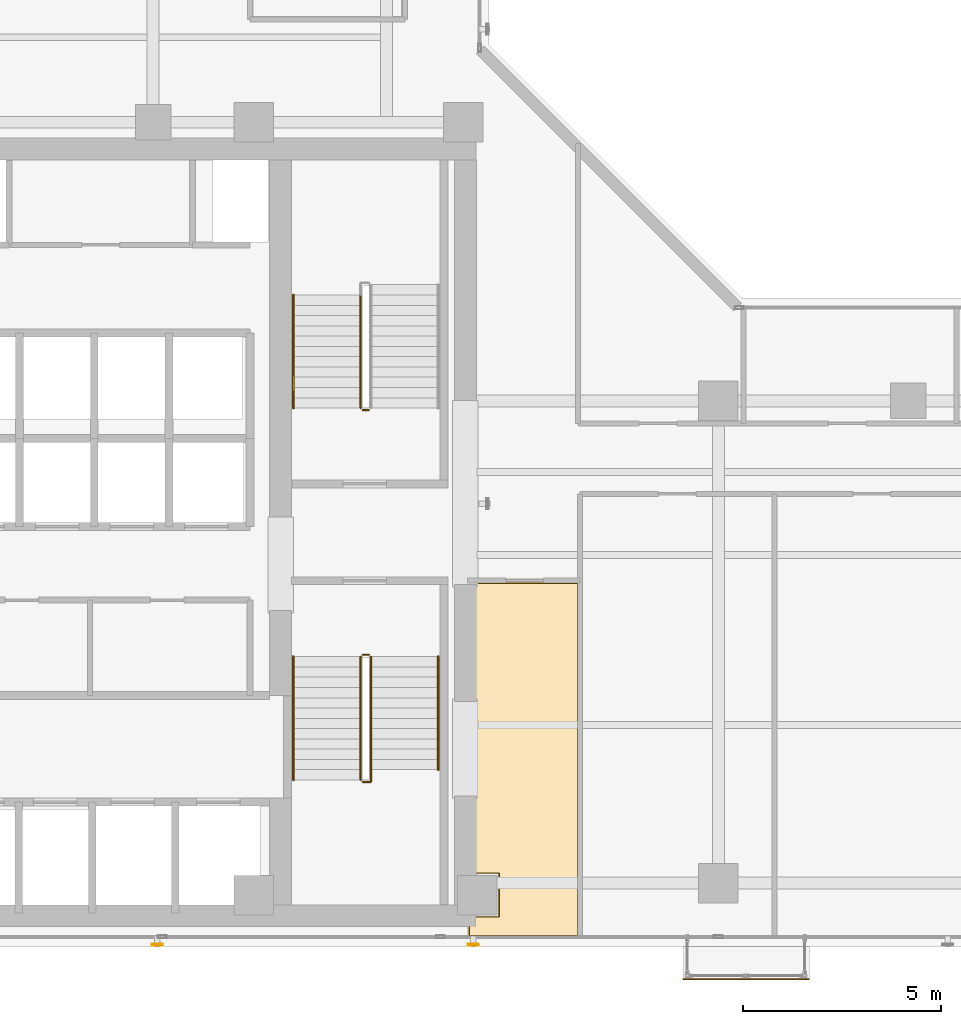
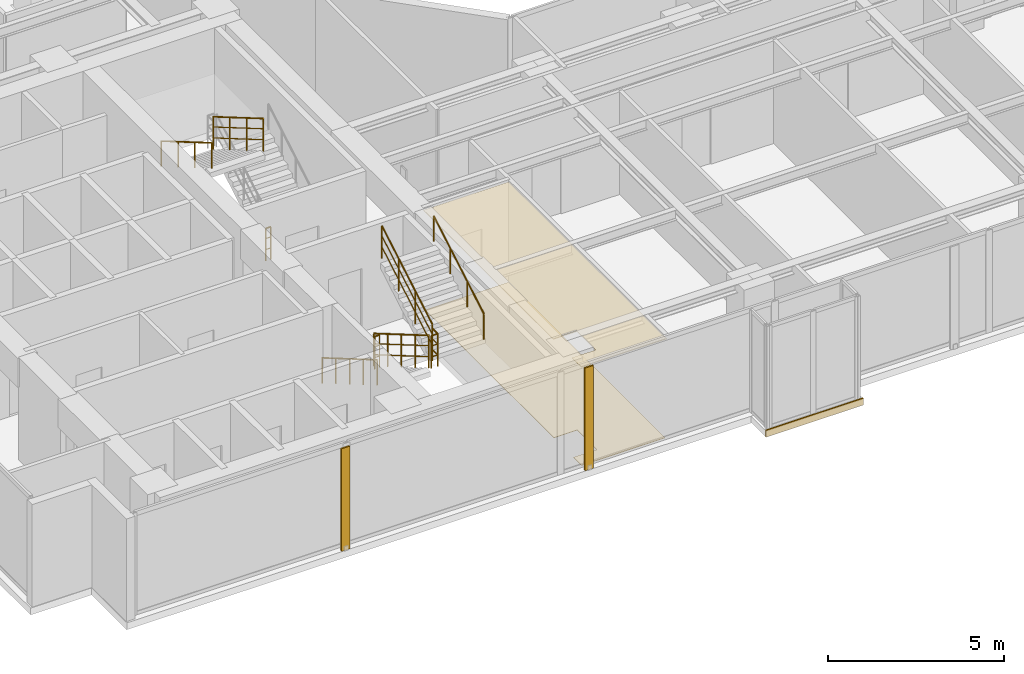
# One storey, part 20 of 23: 9 railings, 3 coverings, 2 shading devices.
"""IFC4 building model written with IfcOpenShell, lengths in metres."""

from ifc_helpers import new_model, si_unit, direction, frame, origin, origin_2d, place, context, subcontext, project, spatial, polyline, rectangle, hollow_rectangle, circle, outline, extrude, material, layer, layer_set, material_profile, profile_set, type_object, element, save


model = new_model("IFC4")

# Units and contexts
model_context = context("Model", 3, precision=1e-05, world=origin(), true_north=direction((0.0, 1.0)))
body_context = subcontext(model_context, "Body", "Model", "MODEL_VIEW")
ifc_project = project(units=[si_unit("LENGTHUNIT", "METRE"), si_unit("AREAUNIT", "SQUARE_METRE"), si_unit("VOLUMEUNIT", "CUBIC_METRE"), si_unit("PLANEANGLEUNIT", "RADIAN"), si_unit("MASSUNIT", "GRAM", prefix="KILO")], contexts=[model_context])

# Site, building, storey
site_placement = place(None, origin())
site = spatial("IfcSite", under=ifc_project, at=site_placement, CompositionType="ELEMENT")
building_placement = place(site_placement, origin())
building = spatial("IfcBuilding", under=site, at=building_placement, Name="Kolvaren Waterfront Exchange", CompositionType="ELEMENT")
storey_placement = place(building_placement, frame((0.0, 0.0, 215.89990234375)))
storey = spatial("IfcBuildingStorey", under=building, at=storey_placement, Name="L55", CompositionType="ELEMENT", Elevation=215.89990234375)

# Coverings
ifc_material_1 = material(Name="Mineral fibre acoustic ceiling tile")
ifc_layer_1 = layer(ifc_material_1, 0.02490234375, Name="Mineral fibre acoustic ceiling tile")
ifc_layer_set_1 = layer_set([ifc_layer_1], Name="Mineral fibre acoustic ceiling tile")
covering_type_1 = type_object("IfcCoveringType", Name="ARC-CEIL-ACOUSTIC-25", PredefinedType="CEILING", material=ifc_layer_set_1)
covering_1_placement = place(storey_placement, frame((0.0, 0.0, 3.445068359375)))
element("IfcCovering", 1, at=covering_1_placement, inside=storey, type_object=covering_type_1, Name="L55 acoustic suspended ceiling 3", PredefinedType="CEILING", context=body_context, shape_type="SweptSolid", body=[
    extrude(outline(polyline([(20.864990234375, 5.43994140625), (21.639892578125, 5.43994140625), (21.639892578125, 4.360107421875), (20.864990234375, 4.360107421875), (20.864990234375, 3.844970703125), (23.675048828125, 3.844970703125), (23.675048828125, 12.81494140625), (20.864990234375, 12.81494140625), (20.864990234375, 5.43994140625)])), origin(), (0.0, 0.0, 1.0), 0.025146484375),
])
ifc_material_2 = material(Name="Anodised bronze fascia aluminium", Category="aluminium")
ifc_layer_2 = layer(ifc_material_2, 0.034912109375, Name="Anodised bronze fascia aluminium")
ifc_layer_set_2 = layer_set([ifc_layer_2], Name="Anodised bronze fascia aluminium")
covering_type_2 = type_object("IfcCoveringType", Name="ARC-CLAD-BRONZE-35", PredefinedType="CLADDING", material=ifc_layer_set_2)
covering_2_placement = place(storey_placement, frame((27.89990234375, 2.77001953125, -0.2197265625), z_axis=(0.0, 0.0, 1.0), x_axis=(1.0, 0.0, 0.0)))
element("IfcCovering", 2, at=covering_2_placement, inside=storey, type_object=covering_type_2, Name="L55 ribbed anodised bronze bay-box fascia", PredefinedType="CLADDING", context=body_context, shape_type="SweptSolid", body=[
    extrude(rectangle(XDim=3.199951171875, YDim=0.034912109375, at=origin_2d()), origin(), (0.0, 0.0, 1.0), 0.239990234375),
])

# Shading devices
ifc_material_3 = material(Name="Anodised bronze aluminium 6063-T6", Category="aluminium")
ifc_material_profile = material_profile(ifc_material_3, hollow_rectangle(XDim=0.054931640625, YDim=0.280029296875, WallThickness=0.00439453125, at=origin_2d()), Name="BRZ-FIN-280x55x4.5")
ifc_profile_set = profile_set([ifc_material_profile], Name="Anodised bronze aluminium 6063-T6")
shading_device_type = type_object("IfcShadingDeviceType", Name="ARC-FIN-280", PredefinedType="USERDEFINED", material=ifc_profile_set)
for number, where, z_axis, x_axis, name in (
    (3, (13.0, 3.639892578125, 0.0), (0.0, 0.0, 1.0), (0.0, -1.0, 0.0), "L55 anodised bronze solar shading fin FIN-L55-S1"),
    (4, (21.0, 3.639892578125, 0.0), (0.0, 0.0, 1.0), (0.0, -1.0, 0.0), "L55 anodised bronze solar shading fin FIN-L55-S2"),
):
    element("IfcShadingDevice", number, at=place(storey_placement, frame(where, z_axis=z_axis, x_axis=x_axis)), inside=storey, type_object=shading_device_type, Name=name, ObjectType="SOLAR FIN", PredefinedType="USERDEFINED", context=body_context, shape_type="SweptSolid", body=[
        extrude(hollow_rectangle(XDim=0.054931640625, YDim=0.280029296875, WallThickness=0.00439453125, at=origin_2d()), origin(), (0.0, 0.0, 1.0), 3.56005859375),
    ])

# Covering
ifc_material_4 = material(Name="Slip-resistant porcelain tile")
ifc_layer_3 = layer(ifc_material_4, 0.014892578125, Name="Slip-resistant porcelain tile")
ifc_layer_set_3 = layer_set([ifc_layer_3], Name="Slip-resistant porcelain tile")
covering_type_3 = type_object("IfcCoveringType", Name="ARC-FLR-PORC-15", PredefinedType="FLOORING", material=ifc_layer_set_3)
covering_3_placement = place(storey_placement, origin())
element("IfcCovering", 5, at=covering_3_placement, inside=storey, type_object=covering_type_3, Name="L55 floor finish 3", PredefinedType="FLOORING", context=body_context, shape_type="SweptSolid", body=[
    extrude(outline(polyline([(20.89990234375, 4.340087890625), (20.89990234375, 3.8798828125), (23.639892578125, 3.8798828125), (23.639892578125, 12.780029296875), (20.89990234375, 12.780029296875), (20.89990234375, 5.4599609375), (21.659912109375, 5.4599609375), (21.659912109375, 4.340087890625), (20.89990234375, 4.340087890625)])), origin(), (0.0, 0.0, 1.0), 0.01513671875),
])

# Railings
ifc_material_5 = material(Name="Stainless steel 316", Category="steel")
railing_type_1 = type_object("IfcRailingType", Name="ARC-GUARD-STAIR", PredefinedType="GUARDRAIL", material=ifc_material_5)
railing_1_placement = place(storey_placement, frame((18.14990234375, 10.929931640625, 0.152099609375)))
element("IfcRailing", 6, at=railing_1_placement, inside=storey, type_object=railing_type_1, Name="L55 ST1 stair guard 1", PredefinedType="GUARDRAIL", context=body_context, shape_type="SweptSolid", body=[
    extrude(circle(Radius=0.02392578125, at=origin_2d()), frame((0.0, 0.0, 1.1259765625), z_axis=(0.0, -0.86329090724, 0.504706656858), x_axis=(1.0, 0.0, 0.0)), (0.0, 0.0, 1.0), 3.614013671875),
    extrude(circle(Radius=0.01611328125, at=origin_2d()), frame((0.0, 0.0, 0.390869140625), z_axis=(0.0, -0.86329090724, 0.504706656858), x_axis=(1.0, 0.0, 0.0)), (0.0, 0.0, 1.0), 3.614013671875),
    extrude(circle(Radius=0.01611328125, at=origin_2d()), frame((0.0, 0.0, 0.7705078125), z_axis=(0.0, -0.86329090724, 0.504706656858), x_axis=(1.0, 0.0, 0.0)), (0.0, 0.0, 1.0), 3.614013671875),
    extrude(circle(Radius=0.02099609375, at=origin_2d()), origin(), (0.0, 0.0, 1.0), 1.101806640625),
    extrude(circle(Radius=0.02099609375, at=origin_2d()), frame((0.0, -0.780029296875, 0.4560546875)), (0.0, 0.0, 1.0), 1.101806640625),
    extrude(circle(Radius=0.02099609375, at=origin_2d()), frame((0.0, -1.56005859375, 0.912109375)), (0.0, 0.0, 1.0), 1.101806640625),
    extrude(circle(Radius=0.02099609375, at=origin_2d()), frame((0.0, -2.33984375, 1.367919921875)), (0.0, 0.0, 1.0), 1.101806640625),
    extrude(circle(Radius=0.02099609375, at=origin_2d()), frame((0.0, -3.119873046875, 1.823974609375)), (0.0, 0.0, 1.0), 1.101806640625),
])
railing_2_placement = place(storey_placement, frame((18.199951171875, 7.760009765625, 1.97607421875)))
element("IfcRailing", 7, at=railing_2_placement, inside=storey, type_object=railing_type_1, Name="L55 ST1 stair guard 2", PredefinedType="GUARDRAIL", context=body_context, shape_type="SweptSolid", body=[
    extrude(circle(Radius=0.02392578125, at=origin_2d()), frame((0.0, 0.0, 1.1259765625), z_axis=(1.0, 0.0, 0.0), x_axis=(0.0, 1.0, 0.0)), (0.0, 0.0, 1.0), 0.2099609375),
    extrude(circle(Radius=0.01611328125, at=origin_2d()), frame((0.0, 0.0, 0.390869140625), z_axis=(1.0, 0.0, 0.0), x_axis=(0.0, 1.0, 0.0)), (0.0, 0.0, 1.0), 0.2099609375),
    extrude(circle(Radius=0.01611328125, at=origin_2d()), frame((0.0, 0.0, 0.7705078125), z_axis=(1.0, 0.0, 0.0), x_axis=(0.0, 1.0, 0.0)), (0.0, 0.0, 1.0), 0.2099609375),
    extrude(circle(Radius=0.02392578125, at=origin_2d()), frame((0.2099609375, 0.0, 1.1259765625), z_axis=(0.0, 1.0, 0.0), x_axis=(-1.0, 0.0, 0.0)), (0.0, 0.0, 1.0), 0.31005859375),
    extrude(circle(Radius=0.01611328125, at=origin_2d()), frame((0.2099609375, 0.0, 0.390869140625), z_axis=(0.0, 1.0, 0.0), x_axis=(-1.0, 0.0, 0.0)), (0.0, 0.0, 1.0), 0.31005859375),
    extrude(circle(Radius=0.01611328125, at=origin_2d()), frame((0.2099609375, 0.0, 0.7705078125), z_axis=(0.0, 1.0, 0.0), x_axis=(-1.0, 0.0, 0.0)), (0.0, 0.0, 1.0), 0.31005859375),
    extrude(circle(Radius=0.02099609375, at=origin_2d()), origin(), (0.0, 0.0, 1.0), 1.101806640625),
    extrude(circle(Radius=0.02099609375, at=origin_2d()), frame((0.2099609375, 0.0, 0.0)), (0.0, 0.0, 1.0), 1.101806640625),
    extrude(circle(Radius=0.02099609375, at=origin_2d()), frame((0.2099609375, 0.31005859375, 0.0)), (0.0, 0.0, 1.0), 1.101806640625),
])
railing_3_placement = place(storey_placement, frame((18.409912109375, 8.070068359375, 2.128173828125)))
element("IfcRailing", 8, at=railing_3_placement, inside=storey, type_object=railing_type_1, Name="L55 ST1 stair guard 3", PredefinedType="GUARDRAIL", context=body_context, shape_type="SweptSolid", body=[
    extrude(circle(Radius=0.02392578125, at=origin_2d()), frame((0.0, 0.0, 1.1259765625), z_axis=(0.0, 0.86330272217, 0.504686447108), x_axis=(-1.0, 0.0, 0.0)), (0.0, 0.0, 1.0), 3.312744140625),
    extrude(circle(Radius=0.01611328125, at=origin_2d()), frame((0.0, 0.0, 0.390869140625), z_axis=(0.0, 0.86330272217, 0.504686447108), x_axis=(-1.0, 0.0, 0.0)), (0.0, 0.0, 1.0), 3.312744140625),
    extrude(circle(Radius=0.01611328125, at=origin_2d()), frame((0.0, 0.0, 0.7705078125), z_axis=(0.0, 0.86330272217, 0.504686447108), x_axis=(-1.0, 0.0, 0.0)), (0.0, 0.0, 1.0), 3.312744140625),
    extrude(circle(Radius=0.02099609375, at=origin_2d()), origin(), (0.0, 0.0, 1.0), 1.101806640625),
    extrude(circle(Radius=0.02099609375, at=origin_2d()), frame((0.0, 0.953369140625, 0.557373046875)), (0.0, 0.0, 1.0), 1.101806640625),
    extrude(circle(Radius=0.02099609375, at=origin_2d()), frame((0.0, 1.906494140625, 1.114501953125)), (0.0, 0.0, 1.0), 1.101806640625),
    extrude(circle(Radius=0.02099609375, at=origin_2d()), frame((0.0, 2.85986328125, 1.671875)), (0.0, 0.0, 1.0), 1.101806640625),
])
railing_4_placement = place(storey_placement, frame((18.199951171875, 10.97998046875, 0.0)))
element("IfcRailing", 9, at=railing_4_placement, inside=storey, type_object=railing_type_1, Name="L55 ST1 stair guard 4", PredefinedType="GUARDRAIL", context=body_context, shape_type="SweptSolid", body=[
    extrude(circle(Radius=0.02392578125, at=origin_2d()), frame((0.0, 0.0, 1.1259765625), z_axis=(1.0, 0.0, 0.0), x_axis=(0.0, 1.0, 0.0)), (0.0, 0.0, 1.0), 0.16015625),
    extrude(circle(Radius=0.01611328125, at=origin_2d()), frame((0.0, 0.0, 0.390869140625), z_axis=(1.0, 0.0, 0.0), x_axis=(0.0, 1.0, 0.0)), (0.0, 0.0, 1.0), 0.16015625),
    extrude(circle(Radius=0.01611328125, at=origin_2d()), frame((0.0, 0.0, 0.7705078125), z_axis=(1.0, 0.0, 0.0), x_axis=(0.0, 1.0, 0.0)), (0.0, 0.0, 1.0), 0.16015625),
    extrude(circle(Radius=0.02099609375, at=origin_2d()), origin(), (0.0, 0.0, 1.0), 1.101806640625),
    extrude(circle(Radius=0.02099609375, at=origin_2d()), frame((0.16015625, 0.0, 0.0)), (0.0, 0.0, 1.0), 1.101806640625),
])
railing_5_placement = place(storey_placement, frame((18.14990234375, 20.080078125, 2.128173828125)))
element("IfcRailing", 10, at=railing_5_placement, inside=storey, type_object=railing_type_1, Name="L55 ST2 stair guard 3", PredefinedType="GUARDRAIL", context=body_context, shape_type="SweptSolid", body=[
    extrude(circle(Radius=0.02392578125, at=origin_2d()), frame((0.0, 0.0, 1.1259765625), z_axis=(0.0, -0.863321491973, 0.504654338629), x_axis=(1.0, 0.0, 0.0)), (0.0, 0.0, 1.0), 3.31298828125),
    extrude(circle(Radius=0.01611328125, at=origin_2d()), frame((0.0, 0.0, 0.390869140625), z_axis=(0.0, -0.863321491973, 0.504654338629), x_axis=(1.0, 0.0, 0.0)), (0.0, 0.0, 1.0), 3.31298828125),
    extrude(circle(Radius=0.01611328125, at=origin_2d()), frame((0.0, 0.0, 0.7705078125), z_axis=(0.0, -0.863321491973, 0.504654338629), x_axis=(1.0, 0.0, 0.0)), (0.0, 0.0, 1.0), 3.31298828125),
    extrude(circle(Radius=0.02099609375, at=origin_2d()), origin(), (0.0, 0.0, 1.0), 1.101806640625),
    extrude(circle(Radius=0.02099609375, at=origin_2d()), frame((0.0, -0.953369140625, 0.557373046875)), (0.0, 0.0, 1.0), 1.101806640625),
    extrude(circle(Radius=0.02099609375, at=origin_2d()), frame((0.0, -1.90673828125, 1.114501953125)), (0.0, 0.0, 1.0), 1.101806640625),
    extrude(circle(Radius=0.02099609375, at=origin_2d()), frame((0.0, -2.860107421875, 1.671875)), (0.0, 0.0, 1.0), 1.101806640625),
])
railing_6_placement = place(storey_placement, frame((18.360107421875, 17.169921875, 0.0)))
element("IfcRailing", 11, at=railing_6_placement, inside=storey, type_object=railing_type_1, Name="L55 ST2 stair guard 4", PredefinedType="GUARDRAIL", context=body_context, shape_type="SweptSolid", body=[
    extrude(circle(Radius=0.02392578125, at=origin_2d()), frame((0.0, 0.0, 1.1259765625), z_axis=(-1.0, 0.0, 0.0), x_axis=(0.0, -1.0, 0.0)), (0.0, 0.0, 1.0), 0.16015625),
    extrude(circle(Radius=0.01611328125, at=origin_2d()), frame((0.0, 0.0, 0.390869140625), z_axis=(-1.0, 0.0, 0.0), x_axis=(0.0, -1.0, 0.0)), (0.0, 0.0, 1.0), 0.16015625),
    extrude(circle(Radius=0.01611328125, at=origin_2d()), frame((0.0, 0.0, 0.7705078125), z_axis=(-1.0, 0.0, 0.0), x_axis=(0.0, -1.0, 0.0)), (0.0, 0.0, 1.0), 0.16015625),
    extrude(circle(Radius=0.02099609375, at=origin_2d()), origin(), (0.0, 0.0, 1.0), 1.101806640625),
    extrude(circle(Radius=0.02099609375, at=origin_2d()), frame((-0.16015625, 0.0, 0.0)), (0.0, 0.0, 1.0), 1.101806640625),
])
railing_type_2 = type_object("IfcRailingType", Name="ARC-HANDRAIL-900", PredefinedType="HANDRAIL", material=ifc_material_5)
railing_7_placement = place(storey_placement, frame((16.449951171875, 10.929931640625, 0.152099609375)))
element("IfcRailing", 12, at=railing_7_placement, inside=storey, type_object=railing_type_2, Name="L55 ST1 stair handrail 1", PredefinedType="HANDRAIL", context=body_context, shape_type="SweptSolid", body=[
    extrude(circle(Radius=0.02392578125, at=origin_2d()), frame((0.0, 0.0, 0.8759765625), z_axis=(0.0, -0.86329090724, 0.504706656858), x_axis=(1.0, 0.0, 0.0)), (0.0, 0.0, 1.0), 3.614013671875),
    extrude(circle(Radius=0.02099609375, at=origin_2d()), origin(), (0.0, 0.0, 1.0), 0.851806640625),
    extrude(circle(Radius=0.02099609375, at=origin_2d()), frame((0.0, -0.780029296875, 0.4560546875)), (0.0, 0.0, 1.0), 0.851806640625),
    extrude(circle(Radius=0.02099609375, at=origin_2d()), frame((0.0, -1.56005859375, 0.912109375)), (0.0, 0.0, 1.0), 0.851806640625),
    extrude(circle(Radius=0.02099609375, at=origin_2d()), frame((0.0, -2.33984375, 1.367919921875)), (0.0, 0.0, 1.0), 0.851806640625),
    extrude(circle(Radius=0.02099609375, at=origin_2d()), frame((0.0, -3.119873046875, 1.823974609375)), (0.0, 0.0, 1.0), 0.851806640625),
])
railing_8_placement = place(storey_placement, frame((20.110107421875, 8.070068359375, 2.128173828125)))
element("IfcRailing", 13, at=railing_8_placement, inside=storey, type_object=railing_type_2, Name="L55 ST1 stair handrail 2", PredefinedType="HANDRAIL", context=body_context, shape_type="SweptSolid", body=[
    extrude(circle(Radius=0.02392578125, at=origin_2d()), frame((0.0, 0.0, 0.8759765625), z_axis=(0.0, 0.86330272217, 0.504686447108), x_axis=(-1.0, 0.0, 0.0)), (0.0, 0.0, 1.0), 3.312744140625),
    extrude(circle(Radius=0.02099609375, at=origin_2d()), origin(), (0.0, 0.0, 1.0), 0.851806640625),
    extrude(circle(Radius=0.02099609375, at=origin_2d()), frame((0.0, 0.953369140625, 0.557373046875)), (0.0, 0.0, 1.0), 0.851806640625),
    extrude(circle(Radius=0.02099609375, at=origin_2d()), frame((0.0, 1.906494140625, 1.114501953125)), (0.0, 0.0, 1.0), 0.851806640625),
    extrude(circle(Radius=0.02099609375, at=origin_2d()), frame((0.0, 2.85986328125, 1.671875)), (0.0, 0.0, 1.0), 0.851806640625),
])
railing_9_placement = place(storey_placement, frame((16.449951171875, 20.080078125, 2.128173828125)))
element("IfcRailing", 14, at=railing_9_placement, inside=storey, type_object=railing_type_2, Name="L55 ST2 stair handrail 2", PredefinedType="HANDRAIL", context=body_context, shape_type="SweptSolid", body=[
    extrude(circle(Radius=0.02392578125, at=origin_2d()), frame((0.0, 0.0, 0.8759765625), z_axis=(0.0, -0.863321491973, 0.504654338629), x_axis=(1.0, 0.0, 0.0)), (0.0, 0.0, 1.0), 3.31298828125),
    extrude(circle(Radius=0.02099609375, at=origin_2d()), origin(), (0.0, 0.0, 1.0), 0.851806640625),
    extrude(circle(Radius=0.02099609375, at=origin_2d()), frame((0.0, -0.953369140625, 0.557373046875)), (0.0, 0.0, 1.0), 0.851806640625),
    extrude(circle(Radius=0.02099609375, at=origin_2d()), frame((0.0, -1.90673828125, 1.114501953125)), (0.0, 0.0, 1.0), 0.851806640625),
    extrude(circle(Radius=0.02099609375, at=origin_2d()), frame((0.0, -2.860107421875, 1.671875)), (0.0, 0.0, 1.0), 0.851806640625),
])

save(model, "model.ifc")
